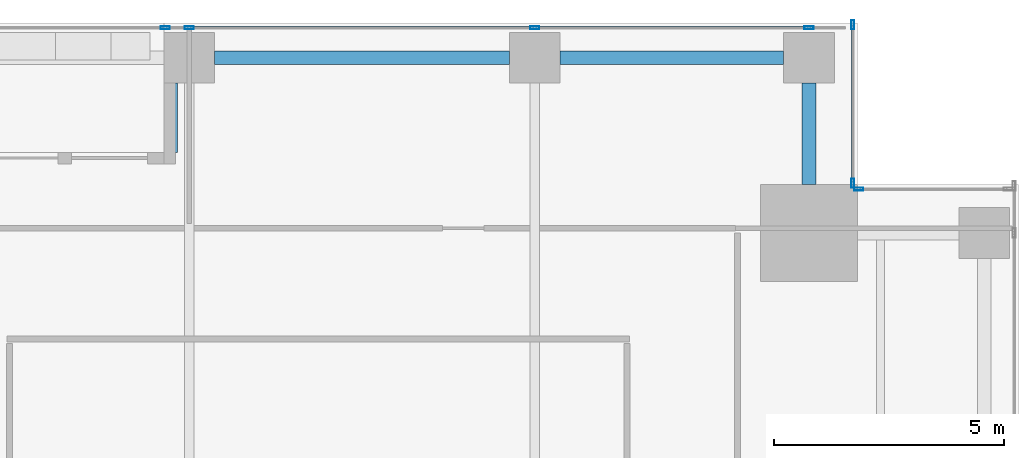
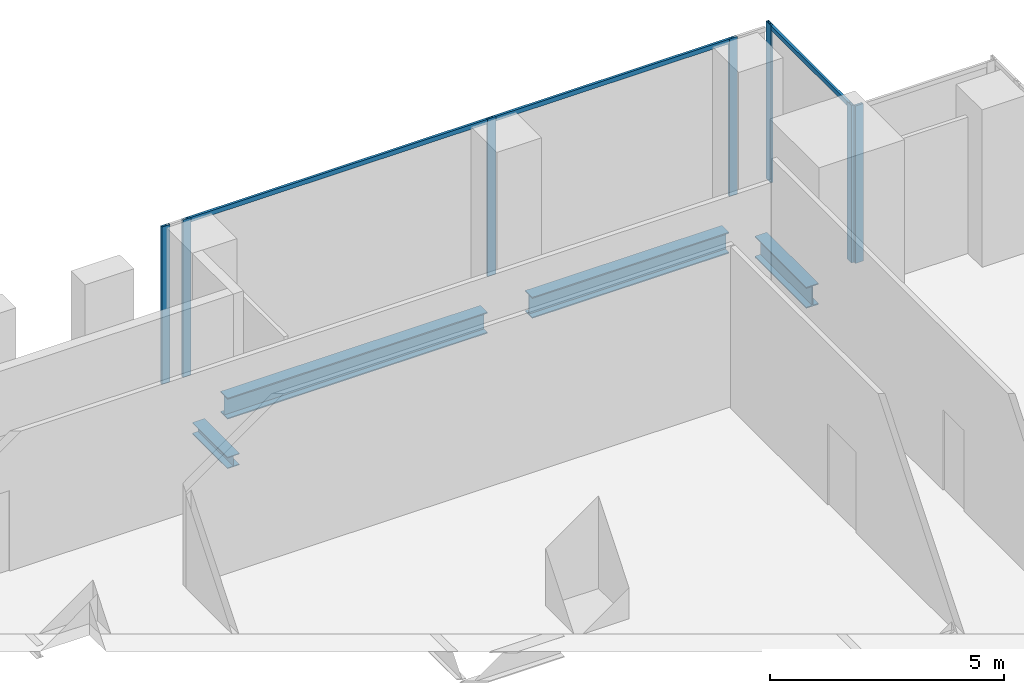
# One storey, part 20 of 34: 10 members, 4 beams, 3 elements without a shape of their own.
"""IFC4 building model written with IfcOpenShell, lengths in metres."""

from ifc_helpers import new_model, si_unit, direction, frame, origin, origin_2d, place, context, subcontext, project, spatial, hollow_rectangle, i_section, extrude, source, transform, mapped, material, material_profile, profile_set, type_object, element, aggregate, save


model = new_model("IFC4")

# Units and contexts
model_context = context("Model", 3, precision=1e-05, world=origin(), true_north=direction((0.0, 1.0)))
body_context = subcontext(model_context, "Body", "Model", "MODEL_VIEW")
ifc_project = project(units=[si_unit("LENGTHUNIT", "METRE"), si_unit("AREAUNIT", "SQUARE_METRE"), si_unit("VOLUMEUNIT", "CUBIC_METRE"), si_unit("PLANEANGLEUNIT", "RADIAN"), si_unit("MASSUNIT", "GRAM", prefix="KILO")], contexts=[model_context])

# Site, building, storey
site_placement = place(None, origin())
site = spatial("IfcSite", under=ifc_project, at=site_placement, CompositionType="ELEMENT")
building_placement = place(site_placement, origin())
building = spatial("IfcBuilding", under=site, at=building_placement, Name="Khomas Fold Tower", CompositionType="ELEMENT")
storey_placement = place(building_placement, frame((0.0, 0.0, 123.5)))
storey = spatial("IfcBuildingStorey", under=building, at=storey_placement, Name="L26", CompositionType="ELEMENT", Elevation=123.5)

# Beams
ifc_material_1 = material(Name="Steel S355", Category="steel")
ifc_material_profile_1 = material_profile(ifc_material_1, i_section(OverallWidth=0.300048828125, OverallDepth=0.550048828125, WebThickness=0.014892578125, FlangeThickness=0.029052734375, at=origin_2d()), Name="HE 550 B")
ifc_profile_set_1 = profile_set([ifc_material_profile_1], Name="Steel S355")
beam_type_1 = type_object("IfcBeamType", Name="HE 550 B spandrel SB2", PredefinedType="SPANDREL", material=ifc_profile_set_1)
shared_shape_1 = source(origin(), body_context, "Body", "SweptSolid", [
    extrude(i_section(OverallWidth=0.300048828125, OverallDepth=0.550048828125, WebThickness=0.014892578125, FlangeThickness=0.029052734375, at=origin_2d()), origin(), (0.0, 0.0, 1.0), 4.849853515625),
])
beam_1_placement = place(storey_placement, frame((42.550048828125, 51.75, -0.574951171875), z_axis=(1.0, 0.0, 0.0), x_axis=(0.0, 1.0, 0.0)))
element("IfcBeam", 1, at=beam_1_placement, inside=storey, type_object=beam_type_1, Name="SB2", PredefinedType="SPANDREL", context=body_context, shape_type="MappedRepresentation", body=[
    mapped(shared_shape_1, transform((0.0, 0.0, 0.0))),
])
shared_shape_2 = source(origin(), body_context, "Body", "SweptSolid", [
    extrude(i_section(OverallWidth=0.300048828125, OverallDepth=0.550048828125, WebThickness=0.014892578125, FlangeThickness=0.029052734375, at=origin_2d()), origin(), (0.0, 0.0, 1.0), 6.39990234375),
])
beam_2_placement = place(storey_placement, frame((35.050048828125, 51.75, -0.574951171875), z_axis=(1.0, 0.0, 0.0), x_axis=(0.0, 1.0, 0.0)))
element("IfcBeam", 2, at=beam_2_placement, inside=storey, type_object=beam_type_1, Name="SB2", PredefinedType="SPANDREL", context=body_context, shape_type="MappedRepresentation", body=[
    mapped(shared_shape_2, transform((0.0, 0.0, 0.0))),
])
shared_shape_3 = source(origin(), body_context, "Body", "SweptSolid", [
    extrude(i_section(OverallWidth=0.300048828125, OverallDepth=0.550048828125, WebThickness=0.014892578125, FlangeThickness=0.029052734375, at=origin_2d()), origin(), (0.0, 0.0, 1.0), 2.199951171875),
])
beam_3_placement = place(storey_placement, frame((47.949951171875, 49.0, -0.574951171875), z_axis=(0.0, 1.0, 0.0), x_axis=(-1.0, 0.0, 0.0)))
element("IfcBeam", 3, at=beam_3_placement, inside=storey, type_object=beam_type_1, Name="SB2", PredefinedType="SPANDREL", context=body_context, shape_type="MappedRepresentation", body=[
    mapped(shared_shape_3, transform((0.0, 0.0, 0.0))),
])
ifc_material_2 = material(Name="Steel S355", Category="steel")
ifc_material_profile_2 = material_profile(ifc_material_2, i_section(OverallWidth=0.300048828125, OverallDepth=0.300048828125, WebThickness=0.010986328125, FlangeThickness=0.01904296875, at=origin_2d()), Name="HE 300 B")
ifc_profile_set_2 = profile_set([ifc_material_profile_2], Name="Steel S355")
beam_type_2 = type_object("IfcBeamType", Name="HE 300 B beam BB1", PredefinedType="BEAM", material=ifc_profile_set_2)
shared_shape_4 = source(origin(), body_context, "Body", "SweptSolid", [
    extrude(i_section(OverallWidth=0.300048828125, OverallDepth=0.300048828125, WebThickness=0.010986328125, FlangeThickness=0.01904296875, at=origin_2d()), origin(), (0.0, 0.0, 1.0), 1.5),
])
beam_4_placement = place(storey_placement, frame((34.10009765625, 49.699951171875, -0.449951171875), z_axis=(0.0, 1.0, 0.0), x_axis=(-1.0, 0.0, 0.0)))
element("IfcBeam", 4, at=beam_4_placement, inside=storey, type_object=beam_type_2, Name="BB1", PredefinedType="BEAM", context=body_context, shape_type="MappedRepresentation", body=[
    mapped(shared_shape_4, transform((0.0, 0.0, 0.0))),
])

# Curtain wall, member
ifc_material_3 = material(Name="Aluminium framed double glazing", Category="aluminium")
curtain_wall_type = type_object("IfcCurtainWallType", Name="SK-Unitised clear-glass wall, growing floors CW1", PredefinedType="NOTDEFINED", material=ifc_material_3)
curtain_wall_1_placement = place(storey_placement, origin())
curtain_wall_1 = element("IfcCurtainWall", 5, at=curtain_wall_1_placement, inside=storey, type_object=curtain_wall_type, Name="CW1 run L26 06-0", PredefinedType="NOTDEFINED")
ifc_material_4 = material(Name="Aluminium", Category="aluminium")
ifc_material_profile_3 = material_profile(ifc_material_4, hollow_rectangle(XDim=0.06005859375, YDim=0.1201171875, WallThickness=0.00390625, at=origin_2d()), Name="SK-Unitised clear-glass wall, growing floors transom CW1-T")
ifc_profile_set_3 = profile_set([ifc_material_profile_3], Name="Aluminium")
member_type_1 = type_object("IfcMemberType", Name="SK-Unitised clear-glass wall, growing floors transom CW1-T", PredefinedType="USERDEFINED", material=ifc_profile_set_3)
shared_shape_5 = source(origin(), body_context, "Body", "SweptSolid", [
    extrude(hollow_rectangle(XDim=0.06005859375, YDim=0.1201171875, WallThickness=0.00390625, at=origin_2d()), origin(), (0.0, 0.0, 1.0), 7.43994140625),
])
member_1_placement = place(storey_placement, frame((41.969970703125, 52.39990234375, 4.0400390625), z_axis=(-1.0, 0.0, 0.0), x_axis=(0.0, -1.0, 0.0)))
member_1 = element("IfcMember", 6, at=member_1_placement, type_object=member_type_1, Name="CW1 transom 3", ObjectType="TRANSOM", PredefinedType="USERDEFINED", context=body_context, shape_type="MappedRepresentation", body=[
    mapped(shared_shape_5, transform((0.0, 0.0, 0.0))),
])

curtain_wall_2_placement = place(storey_placement, origin())
curtain_wall_2 = element("IfcCurtainWall", 7, at=curtain_wall_2_placement, inside=storey, type_object=curtain_wall_type, Name="CW1 corner return L26 04", PredefinedType="NOTDEFINED")
ifc_material_5 = material(Name="Aluminium", Category="aluminium")
ifc_material_profile_4 = material_profile(ifc_material_5, hollow_rectangle(XDim=0.06005859375, YDim=0.199951171875, WallThickness=0.00390625, at=origin_2d()), Name="SK-Unitised clear-glass wall, growing floors mullion CW1-M")
ifc_profile_set_4 = profile_set([ifc_material_profile_4], Name="Aluminium")
member_type_2 = type_object("IfcMemberType", Name="SK-Unitised clear-glass wall, growing floors mullion CW1-M", PredefinedType="MULLION", material=ifc_profile_set_4)
shared_shape_6 = source(origin(), body_context, "Body", "SweptSolid", [
    extrude(hollow_rectangle(XDim=0.06005859375, YDim=0.199951171875, WallThickness=0.00390625, at=origin_2d()), origin(), (0.0, 0.0, 1.0), 4.10009765625),
])
member_2_placement = place(storey_placement, frame((49.030029296875, 48.89990234375, 0.0), z_axis=(0.0, 0.0, 1.0), x_axis=(0.0, -1.0, 0.0)))
member_2 = element("IfcMember", 8, at=member_2_placement, type_object=member_type_2, Name="CW1 mullion 2", PredefinedType="MULLION", context=body_context, shape_type="MappedRepresentation", body=[
    mapped(shared_shape_6, transform((0.0, 0.0, 0.0))),
])
aggregate(curtain_wall_2, [member_2])

# Curtain wall, members
curtain_wall_3_placement = place(storey_placement, origin())
curtain_wall_3 = element("IfcCurtainWall", 9, at=curtain_wall_3_placement, inside=storey, type_object=curtain_wall_type, Name="CW1 corner return L26 05", PredefinedType="NOTDEFINED")
member_3_placement = place(storey_placement, frame((48.89990234375, 49.030029296875, 0.0), z_axis=(0.0, 0.0, 1.0), x_axis=(-1.0, 0.0, 0.0)))
member_3 = element("IfcMember", 10, at=member_3_placement, type_object=member_type_2, Name="CW1 mullion 1", PredefinedType="MULLION", context=body_context, shape_type="MappedRepresentation", body=[
    mapped(shared_shape_6, transform((0.0, 0.0, 0.0))),
])
member_4_placement = place(storey_placement, frame((48.89990234375, 52.469970703125, 0.0), z_axis=(0.0, 0.0, 1.0), x_axis=(-1.0, 0.0, 0.0)))
member_4 = element("IfcMember", 11, at=member_4_placement, type_object=member_type_2, Name="CW1 mullion 2", PredefinedType="MULLION", context=body_context, shape_type="MappedRepresentation", body=[
    mapped(shared_shape_6, transform((0.0, 0.0, 0.0))),
])

# Member
member_5_placement = place(storey_placement, frame((47.949951171875, 52.39990234375, 0.0), z_axis=(0.0, 0.0, 1.0), x_axis=(0.0, -1.0, 0.0)))
member_5 = element("IfcMember", 12, at=member_5_placement, type_object=member_type_2, Name="CW1 mullion 2", PredefinedType="MULLION", context=body_context, shape_type="MappedRepresentation", body=[
    mapped(shared_shape_6, transform((0.0, 0.0, 0.0))),
])

member_6_placement = place(storey_placement, frame((42.0, 52.39990234375, 0.0), z_axis=(0.0, 0.0, 1.0), x_axis=(0.0, -1.0, 0.0)))
member_6 = element("IfcMember", 13, at=member_6_placement, type_object=member_type_2, Name="CW1 mullion 3", PredefinedType="MULLION", context=body_context, shape_type="MappedRepresentation", body=[
    mapped(shared_shape_6, transform((0.0, 0.0, 0.0))),
])

member_7_placement = place(storey_placement, frame((34.5, 52.39990234375, 0.0), z_axis=(0.0, 0.0, 1.0), x_axis=(0.0, -1.0, 0.0)))
member_7 = element("IfcMember", 14, at=member_7_placement, type_object=member_type_2, Name="CW1 mullion 4", PredefinedType="MULLION", context=body_context, shape_type="MappedRepresentation", body=[
    mapped(shared_shape_6, transform((0.0, 0.0, 0.0))),
])

member_8_placement = place(storey_placement, frame((33.97998046875, 52.39990234375, 0.0), z_axis=(0.0, 0.0, 1.0), x_axis=(0.0, -1.0, 0.0)))
member_8 = element("IfcMember", 15, at=member_8_placement, type_object=member_type_2, Name="CW1 mullion 5", PredefinedType="MULLION", context=body_context, shape_type="MappedRepresentation", body=[
    mapped(shared_shape_6, transform((0.0, 0.0, 0.0))),
])

shared_shape_7 = source(origin(), body_context, "Body", "SweptSolid", [
    extrude(hollow_rectangle(XDim=0.06005859375, YDim=0.1201171875, WallThickness=0.00390625, at=origin_2d()), origin(), (0.0, 0.0, 1.0), 5.889892578125),
])
member_9_placement = place(storey_placement, frame((47.919921875, 52.39990234375, 4.0400390625), z_axis=(-1.0, 0.0, 0.0), x_axis=(0.0, -1.0, 0.0)))
member_9 = element("IfcMember", 16, at=member_9_placement, type_object=member_type_1, Name="CW1 transom 2", ObjectType="TRANSOM", PredefinedType="USERDEFINED", context=body_context, shape_type="MappedRepresentation", body=[
    mapped(shared_shape_7, transform((0.0, 0.0, 0.0))),
])

aggregate(curtain_wall_1, [member_5, member_6, member_7, member_8, member_9, member_1])

shared_shape_8 = source(origin(), body_context, "Body", "SweptSolid", [
    extrude(hollow_rectangle(XDim=0.06005859375, YDim=0.1201171875, WallThickness=0.00390625, at=origin_2d()), origin(), (0.0, 0.0, 1.0), 3.3798828125),
])
member_10_placement = place(storey_placement, frame((48.89990234375, 49.06005859375, 4.0400390625), z_axis=(0.0, 1.0, 0.0), x_axis=(-1.0, 0.0, 0.0)))
member_10 = element("IfcMember", 17, at=member_10_placement, type_object=member_type_1, Name="CW1 transom 1", ObjectType="TRANSOM", PredefinedType="USERDEFINED", context=body_context, shape_type="MappedRepresentation", body=[
    mapped(shared_shape_8, transform((0.0, 0.0, 0.0))),
])

aggregate(curtain_wall_3, [member_3, member_4, member_10])

save(model, "model.ifc")
